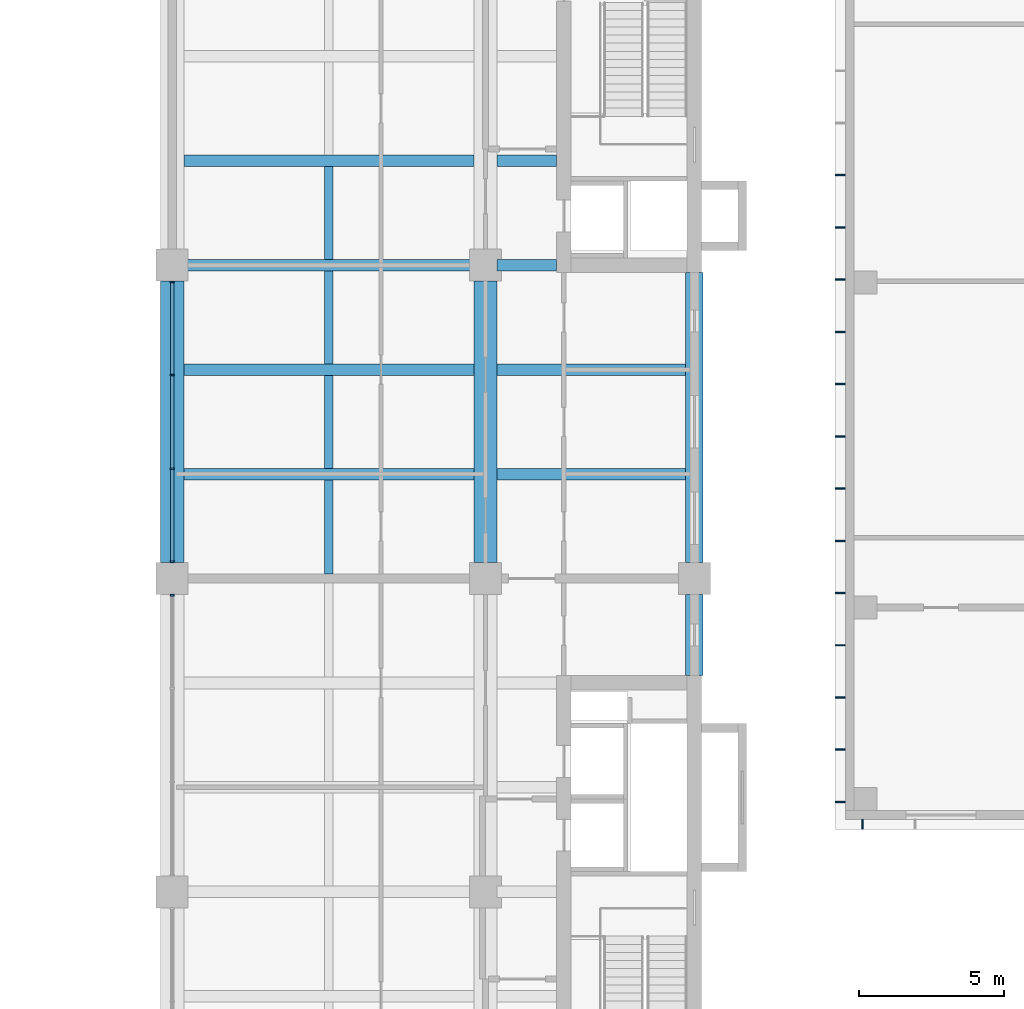
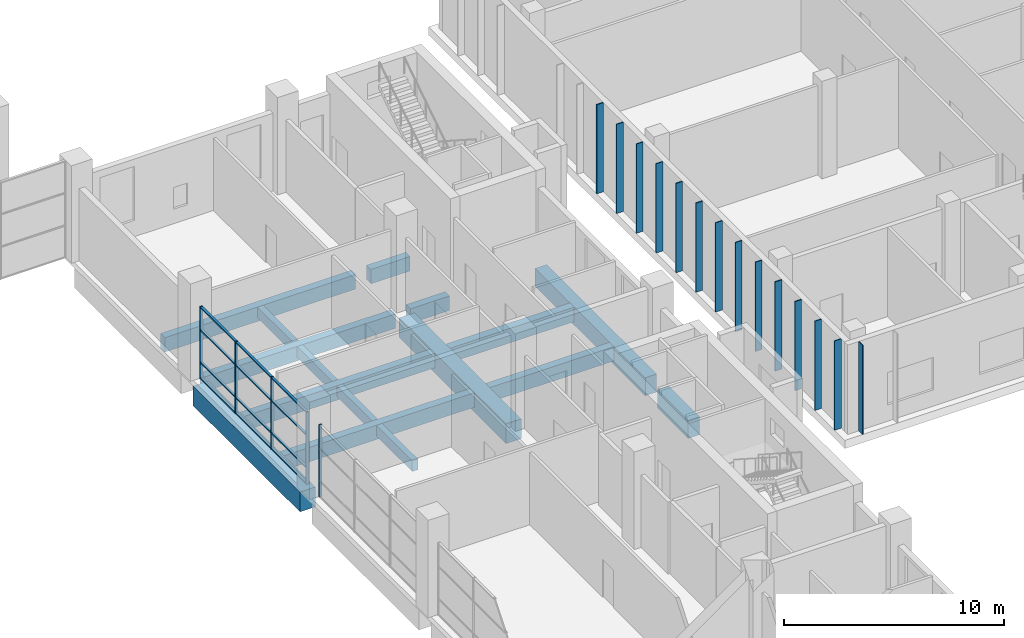
# One storey, part 9 of 33: 31 members, 16 beams, 2 elements without a shape of their own.
"""IFC4 building model written with IfcOpenShell, lengths in metres."""

from ifc_helpers import new_model, si_unit, direction, frame, origin, origin_2d, place, context, subcontext, project, spatial, rectangle, extrude, material, layer, layer_set, material_profile, profile_set, type_object, element, aggregate, save


model = new_model("IFC4")

# Units and contexts
model_context = context("Model", 3, precision=1e-05, world=origin(), true_north=direction((0.0, 1.0)))
body_context = subcontext(model_context, "Body", "Model", "MODEL_VIEW")
ifc_project = project(units=[si_unit("LENGTHUNIT", "METRE"), si_unit("AREAUNIT", "SQUARE_METRE"), si_unit("VOLUMEUNIT", "CUBIC_METRE"), si_unit("PLANEANGLEUNIT", "RADIAN"), si_unit("MASSUNIT", "GRAM", prefix="KILO")], contexts=[model_context])

# Site, building, storey
site_placement = place(None, origin())
site = spatial("IfcSite", under=ifc_project, at=site_placement, CompositionType="ELEMENT")
building_placement = place(site_placement, origin())
building = spatial("IfcBuilding", under=site, at=building_placement, Name="Basin Gate Institute", CompositionType="ELEMENT")
storey_placement = place(building_placement, frame((0.0, 0.0, 6.0)))
storey = spatial("IfcBuildingStorey", under=building, at=storey_placement, Name="L01", CompositionType="ELEMENT", Elevation=6.0)

# Beams
ifc_material_1 = material(Name="Concrete 40 MPa", Category="concrete")
ifc_material_profile_1 = material_profile(ifc_material_1, rectangle(XDim=0.39990234375, YDim=0.800048828125, at=origin_2d()), Name="Beam B2 400 x 800")
ifc_profile_set_1 = profile_set([ifc_material_profile_1], Name="Concrete 40 MPa")
beam_type_1 = type_object("IfcBeamType", Name="Beam B2 R180", PredefinedType="BEAM", material=ifc_profile_set_1)
beam_1_placement = place(storey_placement, frame((111.199951171875, 81.89990234375, -0.699951171875), z_axis=(-1.0, 0.0, 0.0), x_axis=(0.0, -1.0, 0.0)))
element("IfcBeam", 1, at=beam_1_placement, inside=storey, type_object=beam_type_1, material=ifc_profile_set_1, Name="BEAM/L01/E/EW/14", PredefinedType="BEAM", context=body_context, shape_type="SweptSolid", body=[
    extrude(rectangle(XDim=0.39990234375, YDim=0.800048828125, at=origin_2d()), origin(), (0.0, 0.0, 1.0), 10.0),
])
beam_2_placement = place(storey_placement, frame((118.5, 81.89990234375, -0.699951171875), z_axis=(-1.0, 0.0, 0.0), x_axis=(0.0, -1.0, 0.0)))
element("IfcBeam", 2, at=beam_2_placement, inside=storey, type_object=beam_type_1, material=ifc_profile_set_1, Name="BEAM/L01/E/OUT/14", PredefinedType="BEAM", context=body_context, shape_type="SweptSolid", body=[
    extrude(rectangle(XDim=0.39990234375, YDim=0.800048828125, at=origin_2d()), origin(), (0.0, 0.0, 1.0), 6.5),
])
beam_3_placement = place(storey_placement, frame((111.199951171875, 85.5, -0.699951171875), z_axis=(-1.0, 0.0, 0.0), x_axis=(0.0, -1.0, 0.0)))
element("IfcBeam", 3, at=beam_3_placement, inside=storey, type_object=beam_type_1, material=ifc_profile_set_1, Name="BEAM/L01/E/EW/15", PredefinedType="BEAM", context=body_context, shape_type="SweptSolid", body=[
    extrude(rectangle(XDim=0.39990234375, YDim=0.800048828125, at=origin_2d()), origin(), (0.0, 0.0, 1.0), 10.0),
])
beam_4_placement = place(storey_placement, frame((118.5, 85.5, -0.699951171875), z_axis=(-1.0, 0.0, 0.0), x_axis=(0.0, -1.0, 0.0)))
element("IfcBeam", 4, at=beam_4_placement, inside=storey, type_object=beam_type_1, material=ifc_profile_set_1, Name="BEAM/L01/E/OUT/15", PredefinedType="BEAM", context=body_context, shape_type="SweptSolid", body=[
    extrude(rectangle(XDim=0.39990234375, YDim=0.800048828125, at=origin_2d()), origin(), (0.0, 0.0, 1.0), 6.5),
])
beam_5_placement = place(storey_placement, frame((111.199951171875, 89.10009765625, -0.699951171875), z_axis=(-1.0, 0.0, 0.0), x_axis=(0.0, -1.0, 0.0)))
element("IfcBeam", 5, at=beam_5_placement, inside=storey, type_object=beam_type_1, material=ifc_profile_set_1, Name="BEAM/L01/E/EW/16", PredefinedType="BEAM", context=body_context, shape_type="SweptSolid", body=[
    extrude(rectangle(XDim=0.39990234375, YDim=0.800048828125, at=origin_2d()), origin(), (0.0, 0.0, 1.0), 10.0),
])
beam_6_placement = place(storey_placement, frame((114.050048828125, 89.10009765625, -0.699951171875), z_axis=(-1.0, 0.0, 0.0), x_axis=(0.0, -1.0, 0.0)))
element("IfcBeam", 6, at=beam_6_placement, inside=storey, type_object=beam_type_1, material=ifc_profile_set_1, Name="BEAM/L01/E/CORR/16", PredefinedType="BEAM", context=body_context, shape_type="SweptSolid", body=[
    extrude(rectangle(XDim=0.39990234375, YDim=0.800048828125, at=origin_2d()), origin(), (0.0, 0.0, 1.0), 2.050048828125),
])
beam_7_placement = place(storey_placement, frame((111.199951171875, 92.699951171875, -0.699951171875), z_axis=(-1.0, 0.0, 0.0), x_axis=(0.0, -1.0, 0.0)))
element("IfcBeam", 7, at=beam_7_placement, inside=storey, type_object=beam_type_1, material=ifc_profile_set_1, Name="BEAM/L01/E/EW/17", PredefinedType="BEAM", context=body_context, shape_type="SweptSolid", body=[
    extrude(rectangle(XDim=0.39990234375, YDim=0.800048828125, at=origin_2d()), origin(), (0.0, 0.0, 1.0), 10.0),
])
beam_8_placement = place(storey_placement, frame((114.050048828125, 92.699951171875, -0.699951171875), z_axis=(-1.0, 0.0, 0.0), x_axis=(0.0, -1.0, 0.0)))
element("IfcBeam", 8, at=beam_8_placement, inside=storey, type_object=beam_type_1, material=ifc_profile_set_1, Name="BEAM/L01/E/CORR/17", PredefinedType="BEAM", context=body_context, shape_type="SweptSolid", body=[
    extrude(rectangle(XDim=0.39990234375, YDim=0.800048828125, at=origin_2d()), origin(), (0.0, 0.0, 1.0), 2.050048828125),
])
ifc_material_2 = material(Name="Concrete 50 MPa", Category="concrete")
ifc_material_profile_2 = material_profile(ifc_material_2, rectangle(XDim=0.60009765625, YDim=1.0, at=origin_2d()), Name="Edge beam EB2 600 x 1000")
ifc_profile_set_2 = profile_set([ifc_material_profile_2], Name="Concrete 50 MPa")
beam_type_2 = type_object("IfcBeamType", Name="Edge beam EB2 R180", PredefinedType="SPANDREL", material=ifc_profile_set_2)
beam_9_placement = place(storey_placement, frame((118.800048828125, 78.85009765625, -0.800048828125), z_axis=(0.0, 1.0, 0.0), x_axis=(-1.0, 0.0, 0.0)))
element("IfcBeam", 9, at=beam_9_placement, inside=storey, type_object=beam_type_2, material=ifc_profile_set_2, Name="BEAM/L01/E/EDGE/4", PredefinedType="SPANDREL", context=body_context, shape_type="SweptSolid", body=[
    extrude(rectangle(XDim=0.60009765625, YDim=1.0, at=origin_2d()), origin(), (0.0, 0.0, 1.0), 10.0),
])
ifc_material_3 = material(Name="Concrete 50 MPa", Category="concrete")
ifc_material_profile_3 = material_profile(ifc_material_3, rectangle(XDim=0.60009765625, YDim=1.0, at=origin_2d()), Name="Edge return beam EB4 600 x 1000")
ifc_profile_set_3 = profile_set([ifc_material_profile_3], Name="Concrete 50 MPa")
beam_type_3 = type_object("IfcBeamType", Name="Edge return beam EB4 R180", PredefinedType="SPANDREL", material=ifc_profile_set_3)
beam_10_placement = place(storey_placement, frame((118.800048828125, 74.949951171875, -0.800048828125), z_axis=(0.0, 1.0, 0.0), x_axis=(-1.0, 0.0, 0.0)))
element("IfcBeam", 10, at=beam_10_placement, inside=storey, type_object=beam_type_3, material=ifc_profile_set_3, Name="BEAM/L01/E/EDGE/3", PredefinedType="SPANDREL", context=body_context, shape_type="SweptSolid", body=[
    extrude(rectangle(XDim=0.60009765625, YDim=1.0, at=origin_2d()), origin(), (0.0, 0.0, 1.0), 2.800048828125),
])
ifc_material_4 = material(Name="Concrete 50 MPa", Category="concrete")
ifc_material_profile_4 = material_profile(ifc_material_4, rectangle(XDim=0.800048828125, YDim=1.10009765625, at=origin_2d()), Name="Girder G2 800 x 1100")
ifc_profile_set_4 = profile_set([ifc_material_profile_4], Name="Concrete 50 MPa")
beam_type_4 = type_object("IfcBeamType", Name="Girder G2 R180", PredefinedType="BEAM", material=ifc_profile_set_4)
for number, where, z_axis, x_axis, name in (
    (11, (111.60009765625, 78.85009765625, -0.85009765625), (0.0, 1.0, 0.0), (-1.0, 0.0, 0.0), "GIR/L01/E8/5"),
    (12, (100.800048828125, 78.85009765625, -0.85009765625), (0.0, 1.0, 0.0), (-1.0, 0.0, 0.0), "GIR/L01/E7/5"),
):
    element("IfcBeam", number, at=place(storey_placement, frame(where, z_axis=z_axis, x_axis=x_axis)), inside=storey, type_object=beam_type_4, material=ifc_profile_set_4, Name=name, PredefinedType="BEAM", context=body_context, shape_type="SweptSolid", body=[
        extrude(rectangle(XDim=0.800048828125, YDim=1.10009765625, at=origin_2d()), origin(), (0.0, 0.0, 1.0), 9.699951171875),
    ])

# Members
ifc_material_5 = material(Name="Anodised aluminium", Category="aluminium")
ifc_material_profile_5 = material_profile(ifc_material_5, rectangle(XDim=0.050048828125, YDim=0.35009765625, at=origin_2d()), Name="Louvre fin CF1 50 x 350")
ifc_profile_set_5 = profile_set([ifc_material_profile_5], Name="Anodised aluminium")
member_type_1 = type_object("IfcMemberType", Name="Louvre fin CF1", PredefinedType="PLATE", material=ifc_profile_set_5)
for number, where, z_axis, x_axis, name in (
    (13, (124.60009765625, 69.824951171875, 0.0), (0.0, 0.0, 1.0), (1.0, 0.0, 0.0), "Louvre fin CF1 S1 L01"),
    (14, (123.824951171875, 70.60009765625, 0.0), (0.0, 0.0, 1.0), (0.0, 1.0, 0.0), "Louvre fin CF1 W1 L01"),
    (15, (123.824951171875, 72.39990234375, 0.0), (0.0, 0.0, 1.0), (0.0, 1.0, 0.0), "Louvre fin CF1 W2 L01"),
    (16, (123.824951171875, 74.199951171875, 0.0), (0.0, 0.0, 1.0), (0.0, 1.0, 0.0), "Louvre fin CF1 W3 L01"),
    (17, (123.824951171875, 76.0, 0.0), (0.0, 0.0, 1.0), (0.0, 1.0, 0.0), "Louvre fin CF1 W4 L01"),
    (18, (123.824951171875, 77.800048828125, 0.0), (0.0, 0.0, 1.0), (0.0, 1.0, 0.0), "Louvre fin CF1 W5 L01"),
    (19, (123.824951171875, 79.60009765625, 0.0), (0.0, 0.0, 1.0), (0.0, 1.0, 0.0), "Louvre fin CF1 W6 L01"),
    (20, (123.824951171875, 81.39990234375, 0.0), (0.0, 0.0, 1.0), (0.0, 1.0, 0.0), "Louvre fin CF1 W7 L01"),
    (21, (123.824951171875, 83.199951171875, 0.0), (0.0, 0.0, 1.0), (0.0, 1.0, 0.0), "Louvre fin CF1 W8 L01"),
    (22, (123.824951171875, 85.0, 0.0), (0.0, 0.0, 1.0), (0.0, 1.0, 0.0), "Louvre fin CF1 W9 L01"),
    (23, (123.824951171875, 86.800048828125, 0.0), (0.0, 0.0, 1.0), (0.0, 1.0, 0.0), "Louvre fin CF1 W10 L01"),
    (24, (123.824951171875, 88.60009765625, 0.0), (0.0, 0.0, 1.0), (0.0, 1.0, 0.0), "Louvre fin CF1 W11 L01"),
    (25, (123.824951171875, 90.39990234375, 0.0), (0.0, 0.0, 1.0), (0.0, 1.0, 0.0), "Louvre fin CF1 W12 L01"),
    (26, (123.824951171875, 92.199951171875, 0.0), (0.0, 0.0, 1.0), (0.0, 1.0, 0.0), "Louvre fin CF1 W13 L01"),
):
    element("IfcMember", number, at=place(storey_placement, frame(where, z_axis=z_axis, x_axis=x_axis)), inside=storey, type_object=member_type_1, material=ifc_profile_set_5, Name=name, PredefinedType="PLATE", context=body_context, shape_type="SweptSolid", body=[
        extrude(rectangle(XDim=0.050048828125, YDim=0.35009765625, at=origin_2d()), origin(), (0.0, 0.0, 1.0), 4.949951171875),
    ])

# Curtain wall, member
ifc_material_6 = material(Name="Fire-resistant glazing in steel-free frame", Category="steel")
ifc_layer = layer(ifc_material_6, 0.199951171875)
ifc_layer_set = layer_set([ifc_layer], Name="Fire-resistant glazing in steel-free frame")
curtain_wall_type = type_object("IfcCurtainWallType", Name="Atrium rated curtain wall CW3", PredefinedType="NOTDEFINED", material=ifc_layer_set)
curtain_wall_1_placement = place(storey_placement, origin())
curtain_wall_1 = element("IfcCurtainWall", 27, at=curtain_wall_1_placement, inside=storey, type_object=curtain_wall_type, material=ifc_layer_set, Name="Atrium rated curtain wall E wing atrium bay 4 L01", PredefinedType="NOTDEFINED")
ifc_material_7 = material(Name="Aluminium", Category="aluminium")
ifc_material_profile_6 = material_profile(ifc_material_7, rectangle(XDim=0.14990234375, YDim=0.06005859375, at=origin_2d()), Name="Mullion MU3 150 x 60")
ifc_profile_set_6 = profile_set([ifc_material_profile_6], Name="Aluminium")
member_type_2 = type_object("IfcMemberType", Name="Mullion MU3", PredefinedType="MULLION", material=ifc_profile_set_6)
member_1_placement = place(storey_placement, frame((100.800048828125, 77.719970703125, 0.0), z_axis=(0.0, 0.0, 1.0), x_axis=(-1.0, 0.0, 0.0)))
member_1 = element("IfcMember", 28, at=member_1_placement, type_object=member_type_2, material=ifc_profile_set_6, Name="CW3 mullion 4", PredefinedType="MULLION", context=body_context, shape_type="SweptSolid", body=[
    extrude(rectangle(XDim=0.14990234375, YDim=0.06005859375, at=origin_2d()), origin(), (0.0, 0.0, 1.0), 4.0),
])
aggregate(curtain_wall_1, [member_1])

# Curtain wall, members
curtain_wall_2_placement = place(storey_placement, origin())
curtain_wall_2 = element("IfcCurtainWall", 29, at=curtain_wall_2_placement, inside=storey, type_object=curtain_wall_type, material=ifc_layer_set, Name="Atrium rated curtain wall E wing atrium bay 5 L01", PredefinedType="NOTDEFINED")
member_2_placement = place(storey_placement, frame((100.800048828125, 78.8798828125, 0.0), z_axis=(0.0, 0.0, 1.0), x_axis=(-1.0, 0.0, 0.0)))
member_2 = element("IfcMember", 30, at=member_2_placement, type_object=member_type_2, material=ifc_profile_set_6, Name="CW3 mullion 1", PredefinedType="MULLION", context=body_context, shape_type="SweptSolid", body=[
    extrude(rectangle(XDim=0.14990234375, YDim=0.06005859375, at=origin_2d()), origin(), (0.0, 0.0, 1.0), 4.0),
])
member_3_placement = place(storey_placement, frame((100.800048828125, 82.083251953125, 0.0), z_axis=(0.0, 0.0, 1.0), x_axis=(-1.0, 0.0, 0.0)))
member_3 = element("IfcMember", 31, at=member_3_placement, type_object=member_type_2, material=ifc_profile_set_6, Name="CW3 mullion 2", PredefinedType="MULLION", context=body_context, shape_type="SweptSolid", body=[
    extrude(rectangle(XDim=0.14990234375, YDim=0.06005859375, at=origin_2d()), origin(), (0.0, 0.0, 1.0), 4.0),
])
member_4_placement = place(storey_placement, frame((100.800048828125, 85.316650390625, 0.0), z_axis=(0.0, 0.0, 1.0), x_axis=(-1.0, 0.0, 0.0)))
member_4 = element("IfcMember", 32, at=member_4_placement, type_object=member_type_2, material=ifc_profile_set_6, Name="CW3 mullion 3", PredefinedType="MULLION", context=body_context, shape_type="SweptSolid", body=[
    extrude(rectangle(XDim=0.14990234375, YDim=0.06005859375, at=origin_2d()), origin(), (0.0, 0.0, 1.0), 4.0),
])
member_5_placement = place(storey_placement, frame((100.800048828125, 88.52001953125, 0.0), z_axis=(0.0, 0.0, 1.0), x_axis=(-1.0, 0.0, 0.0)))
member_5 = element("IfcMember", 33, at=member_5_placement, type_object=member_type_2, material=ifc_profile_set_6, Name="CW3 mullion 4", PredefinedType="MULLION", context=body_context, shape_type="SweptSolid", body=[
    extrude(rectangle(XDim=0.14990234375, YDim=0.06005859375, at=origin_2d()), origin(), (0.0, 0.0, 1.0), 4.0),
])

# Beams
ifc_material_8 = material(Name="Concrete 40 MPa", Category="concrete")
ifc_material_profile_7 = material_profile(ifc_material_8, rectangle(XDim=0.300048828125, YDim=0.60009765625, at=origin_2d()), Name="Rib R2 300 x 600")
ifc_profile_set_7 = profile_set([ifc_material_profile_7], Name="Concrete 40 MPa")
beam_type_5 = type_object("IfcBeamType", Name="Rib R2 R180", PredefinedType="JOIST", material=ifc_profile_set_7)
beam_11_placement = place(storey_placement, frame((106.199951171875, 78.449951171875, -0.60009765625), z_axis=(0.0, 1.0, 0.0), x_axis=(-1.0, 0.0, 0.0)))
element("IfcBeam", 34, at=beam_11_placement, inside=storey, type_object=beam_type_5, material=ifc_profile_set_7, Name="BEAM/L01/E/RIB/13", PredefinedType="JOIST", context=body_context, shape_type="SweptSolid", body=[
    extrude(rectangle(XDim=0.300048828125, YDim=0.60009765625, at=origin_2d()), origin(), (0.0, 0.0, 1.0), 3.25),
])
for number, where, z_axis, x_axis, name in (
    (35, (106.199951171875, 82.10009765625, -0.60009765625), (0.0, 1.0, 0.0), (-1.0, 0.0, 0.0), "BEAM/L01/E/RIB/14"),
    (36, (106.199951171875, 85.699951171875, -0.60009765625), (0.0, 1.0, 0.0), (-1.0, 0.0, 0.0), "BEAM/L01/E/RIB/15"),
    (37, (106.199951171875, 89.300048828125, -0.60009765625), (0.0, 1.0, 0.0), (-1.0, 0.0, 0.0), "BEAM/L01/E/RIB/16"),
):
    element("IfcBeam", number, at=place(storey_placement, frame(where, z_axis=z_axis, x_axis=x_axis)), inside=storey, type_object=beam_type_5, material=ifc_profile_set_7, Name=name, PredefinedType="JOIST", context=body_context, shape_type="SweptSolid", body=[
        extrude(rectangle(XDim=0.300048828125, YDim=0.60009765625, at=origin_2d()), origin(), (0.0, 0.0, 1.0), 3.199951171875),
    ])

# Member
ifc_material_9 = material(Name="Aluminium", Category="aluminium")
ifc_material_profile_8 = material_profile(ifc_material_9, rectangle(XDim=0.1201171875, YDim=0.06005859375, at=origin_2d()), Name="Transom TR3 120 x 60")
ifc_profile_set_8 = profile_set([ifc_material_profile_8], Name="Aluminium")
member_type_3 = type_object("IfcMemberType", Name="Transom TR3", PredefinedType="USERDEFINED", material=ifc_profile_set_8)
member_6_placement = place(storey_placement, frame((100.800048828125, 78.909912109375, 0.030029296875), z_axis=(0.0, 1.0, 0.0), x_axis=(-1.0, 0.0, 0.0)))
member_6 = element("IfcMember", 38, at=member_6_placement, type_object=member_type_3, material=ifc_profile_set_8, Name="CW3 transom 1.1", ObjectType="TRANSOM", PredefinedType="USERDEFINED", context=body_context, shape_type="SweptSolid", body=[
    extrude(rectangle(XDim=0.1201171875, YDim=0.06005859375, at=origin_2d()), origin(), (0.0, 0.0, 1.0), 3.143310546875),
])

member_7_placement = place(storey_placement, frame((100.800048828125, 78.909912109375, 0.89990234375), z_axis=(0.0, 1.0, 0.0), x_axis=(-1.0, 0.0, 0.0)))
member_7 = element("IfcMember", 39, at=member_7_placement, type_object=member_type_3, material=ifc_profile_set_8, Name="CW3 transom 1.2", ObjectType="TRANSOM", PredefinedType="USERDEFINED", context=body_context, shape_type="SweptSolid", body=[
    extrude(rectangle(XDim=0.1201171875, YDim=0.06005859375, at=origin_2d()), origin(), (0.0, 0.0, 1.0), 3.143310546875),
])

member_8_placement = place(storey_placement, frame((100.800048828125, 78.909912109375, 2.699951171875), z_axis=(0.0, 1.0, 0.0), x_axis=(-1.0, 0.0, 0.0)))
member_8 = element("IfcMember", 40, at=member_8_placement, type_object=member_type_3, material=ifc_profile_set_8, Name="CW3 transom 1.3", ObjectType="TRANSOM", PredefinedType="USERDEFINED", context=body_context, shape_type="SweptSolid", body=[
    extrude(rectangle(XDim=0.1201171875, YDim=0.06005859375, at=origin_2d()), origin(), (0.0, 0.0, 1.0), 3.143310546875),
])

member_9_placement = place(storey_placement, frame((100.800048828125, 78.909912109375, 3.969970703125), z_axis=(0.0, 1.0, 0.0), x_axis=(-1.0, 0.0, 0.0)))
member_9 = element("IfcMember", 41, at=member_9_placement, type_object=member_type_3, material=ifc_profile_set_8, Name="CW3 transom 1.4", ObjectType="TRANSOM", PredefinedType="USERDEFINED", context=body_context, shape_type="SweptSolid", body=[
    extrude(rectangle(XDim=0.1201171875, YDim=0.06005859375, at=origin_2d()), origin(), (0.0, 0.0, 1.0), 3.143310546875),
])

member_10_placement = place(storey_placement, frame((100.800048828125, 82.11328125, 0.030029296875), z_axis=(0.0, 1.0, 0.0), x_axis=(-1.0, 0.0, 0.0)))
member_10 = element("IfcMember", 42, at=member_10_placement, type_object=member_type_3, material=ifc_profile_set_8, Name="CW3 transom 2.1", ObjectType="TRANSOM", PredefinedType="USERDEFINED", context=body_context, shape_type="SweptSolid", body=[
    extrude(rectangle(XDim=0.1201171875, YDim=0.06005859375, at=origin_2d()), origin(), (0.0, 0.0, 1.0), 3.17333984375),
])

member_11_placement = place(storey_placement, frame((100.800048828125, 82.11328125, 0.89990234375), z_axis=(0.0, 1.0, 0.0), x_axis=(-1.0, 0.0, 0.0)))
member_11 = element("IfcMember", 43, at=member_11_placement, type_object=member_type_3, material=ifc_profile_set_8, Name="CW3 transom 2.2", ObjectType="TRANSOM", PredefinedType="USERDEFINED", context=body_context, shape_type="SweptSolid", body=[
    extrude(rectangle(XDim=0.1201171875, YDim=0.06005859375, at=origin_2d()), origin(), (0.0, 0.0, 1.0), 3.17333984375),
])

member_12_placement = place(storey_placement, frame((100.800048828125, 82.11328125, 2.699951171875), z_axis=(0.0, 1.0, 0.0), x_axis=(-1.0, 0.0, 0.0)))
member_12 = element("IfcMember", 44, at=member_12_placement, type_object=member_type_3, material=ifc_profile_set_8, Name="CW3 transom 2.3", ObjectType="TRANSOM", PredefinedType="USERDEFINED", context=body_context, shape_type="SweptSolid", body=[
    extrude(rectangle(XDim=0.1201171875, YDim=0.06005859375, at=origin_2d()), origin(), (0.0, 0.0, 1.0), 3.17333984375),
])

member_13_placement = place(storey_placement, frame((100.800048828125, 82.11328125, 3.969970703125), z_axis=(0.0, 1.0, 0.0), x_axis=(-1.0, 0.0, 0.0)))
member_13 = element("IfcMember", 45, at=member_13_placement, type_object=member_type_3, material=ifc_profile_set_8, Name="CW3 transom 2.4", ObjectType="TRANSOM", PredefinedType="USERDEFINED", context=body_context, shape_type="SweptSolid", body=[
    extrude(rectangle(XDim=0.1201171875, YDim=0.06005859375, at=origin_2d()), origin(), (0.0, 0.0, 1.0), 3.17333984375),
])

member_14_placement = place(storey_placement, frame((100.800048828125, 85.3466796875, 0.030029296875), z_axis=(0.0, 1.0, 0.0), x_axis=(-1.0, 0.0, 0.0)))
member_14 = element("IfcMember", 46, at=member_14_placement, type_object=member_type_3, material=ifc_profile_set_8, Name="CW3 transom 3.1", ObjectType="TRANSOM", PredefinedType="USERDEFINED", context=body_context, shape_type="SweptSolid", body=[
    extrude(rectangle(XDim=0.1201171875, YDim=0.06005859375, at=origin_2d()), origin(), (0.0, 0.0, 1.0), 3.143310546875),
])

member_15_placement = place(storey_placement, frame((100.800048828125, 85.3466796875, 0.89990234375), z_axis=(0.0, 1.0, 0.0), x_axis=(-1.0, 0.0, 0.0)))
member_15 = element("IfcMember", 47, at=member_15_placement, type_object=member_type_3, material=ifc_profile_set_8, Name="CW3 transom 3.2", ObjectType="TRANSOM", PredefinedType="USERDEFINED", context=body_context, shape_type="SweptSolid", body=[
    extrude(rectangle(XDim=0.1201171875, YDim=0.06005859375, at=origin_2d()), origin(), (0.0, 0.0, 1.0), 3.143310546875),
])

member_16_placement = place(storey_placement, frame((100.800048828125, 85.3466796875, 2.699951171875), z_axis=(0.0, 1.0, 0.0), x_axis=(-1.0, 0.0, 0.0)))
member_16 = element("IfcMember", 48, at=member_16_placement, type_object=member_type_3, material=ifc_profile_set_8, Name="CW3 transom 3.3", ObjectType="TRANSOM", PredefinedType="USERDEFINED", context=body_context, shape_type="SweptSolid", body=[
    extrude(rectangle(XDim=0.1201171875, YDim=0.06005859375, at=origin_2d()), origin(), (0.0, 0.0, 1.0), 3.143310546875),
])

member_17_placement = place(storey_placement, frame((100.800048828125, 85.3466796875, 3.969970703125), z_axis=(0.0, 1.0, 0.0), x_axis=(-1.0, 0.0, 0.0)))
member_17 = element("IfcMember", 49, at=member_17_placement, type_object=member_type_3, material=ifc_profile_set_8, Name="CW3 transom 3.4", ObjectType="TRANSOM", PredefinedType="USERDEFINED", context=body_context, shape_type="SweptSolid", body=[
    extrude(rectangle(XDim=0.1201171875, YDim=0.06005859375, at=origin_2d()), origin(), (0.0, 0.0, 1.0), 3.143310546875),
])

aggregate(curtain_wall_2, [member_2, member_3, member_4, member_5, member_6, member_7, member_8, member_9, member_10, member_11, member_12, member_13, member_14, member_15, member_16, member_17])

save(model, "model.ifc")
